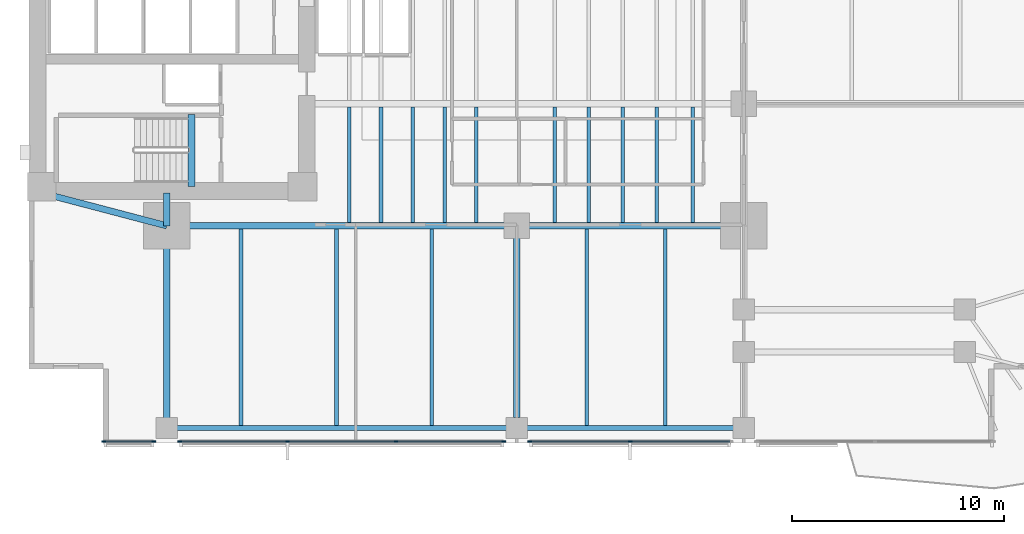
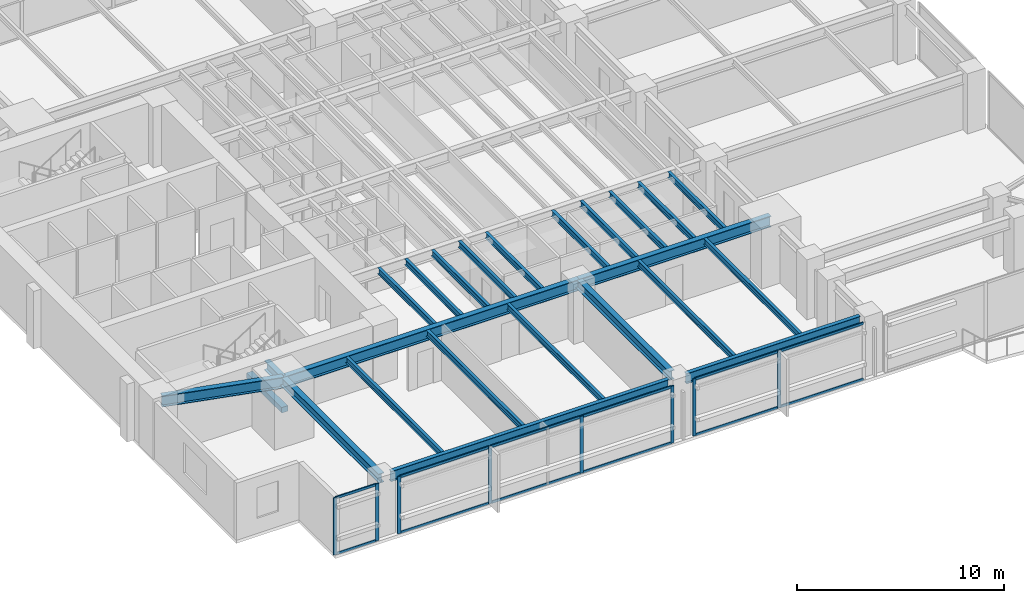
# One storey, part 2 of 15: 24 beams, 20 members, 3 elements without a shape of their own.
"""IFC4 building model written with IfcOpenShell, lengths in metres."""

from ifc_helpers import new_model, si_unit, direction, frame, origin, origin_2d, place, context, subcontext, project, spatial, rectangle, i_section, extrude, material, layer, layer_set, material_profile, profile_set, type_object, element, aggregate, save


model = new_model("IFC4")

# Units and contexts
model_context = context("Model", 3, precision=1e-05, world=origin(), true_north=direction((0.0, 1.0)))
body_context = subcontext(model_context, "Body", "Model", "MODEL_VIEW")
ifc_project = project(units=[si_unit("LENGTHUNIT", "METRE"), si_unit("AREAUNIT", "SQUARE_METRE"), si_unit("VOLUMEUNIT", "CUBIC_METRE"), si_unit("PLANEANGLEUNIT", "RADIAN"), si_unit("MASSUNIT", "GRAM", prefix="KILO")], contexts=[model_context])

# Site, building, storey
site_placement = place(None, origin())
site = spatial("IfcSite", under=ifc_project, at=site_placement, CompositionType="ELEMENT")
building_placement = place(site_placement, origin())
building = spatial("IfcBuilding", under=site, at=building_placement, Name="Kinhvarn Gate Tower", CompositionType="ELEMENT")
storey_placement = place(building_placement, frame((0.0, 0.0, 32.699951171875)))
storey = spatial("IfcBuildingStorey", under=building, at=storey_placement, Name="L07", CompositionType="ELEMENT", Elevation=32.699951171875)

# Beam
ifc_material_1 = material(Name="Concrete C50/60", Category="concrete")
ifc_material_profile_1 = material_profile(ifc_material_1, rectangle(XDim=0.340087890625, YDim=0.320068359375, at=origin_2d()), Name="RC 340x320")
ifc_profile_set_1 = profile_set([ifc_material_profile_1], Name="Concrete C50/60")
beam_type_1 = type_object("IfcBeamType", Name="BM-LND-500", PredefinedType="BEAM", material=ifc_profile_set_1)
beam_1_placement = place(storey_placement, frame((12.1650390625, 14.60009765625, -0.159912109375), z_axis=(0.0, 1.0, 0.0), x_axis=(-1.0, 0.0, 0.0)))
element("IfcBeam", 1, at=beam_1_placement, inside=storey, type_object=beam_type_1, Name="Stair ST1 Landing Nosing Beam (L07)", PredefinedType="BEAM", context=body_context, shape_type="SweptSolid", body=[
    extrude(rectangle(XDim=0.340087890625, YDim=0.320068359375, at=origin_2d()), origin(), (0.0, 0.0, 1.0), 3.39990234375),
])

# Curtain wall, members
ifc_material_2 = material(Name="Anodised aluminium AW-6063", Category="aluminium")
ifc_layer = layer(ifc_material_2, 0.179931640625)
ifc_layer_set = layer_set([ifc_layer], Name="Anodised aluminium AW-6063")
curtain_wall_type = type_object("IfcCurtainWallType", Name="CW-SYS-2", PredefinedType="NOTDEFINED", material=ifc_layer_set)
curtain_wall_1_placement = place(storey_placement, origin())
curtain_wall_1 = element("IfcCurtainWall", 2, at=curtain_wall_1_placement, inside=storey, type_object=curtain_wall_type, Name="Curtain Wall CW2 (L07)", PredefinedType="NOTDEFINED")
ifc_material_profile_2 = material_profile(ifc_material_2, rectangle(XDim=0.070068359375, YDim=0.179931640625, at=origin_2d()), Name="ALU 70x180")
ifc_profile_set_2 = profile_set([ifc_material_profile_2], Name="Anodised aluminium AW-6063")
member_type_1 = type_object("IfcMemberType", Name="CW-MUL-180", PredefinedType="MULLION", material=ifc_profile_set_2)
member_1_placement = place(storey_placement, frame((8.034912109375, 2.590087890625, 0.0), z_axis=(0.0, 0.0, 1.0), x_axis=(0.0, 1.0, 0.0)))
member_1 = element("IfcMember", 3, at=member_1_placement, type_object=member_type_1, Name="CW2 mullion 1", PredefinedType="MULLION", context=body_context, shape_type="SweptSolid", body=[
    extrude(rectangle(XDim=0.070068359375, YDim=0.179931640625, at=origin_2d()), origin(), (0.0, 0.0, 1.0), 3.3701171875),
])
member_2_placement = place(storey_placement, frame((10.385009765625, 2.590087890625, 0.0), z_axis=(0.0, 0.0, 1.0), x_axis=(0.0, 1.0, 0.0)))
member_2 = element("IfcMember", 4, at=member_2_placement, type_object=member_type_1, Name="CW2 mullion 2", PredefinedType="MULLION", context=body_context, shape_type="SweptSolid", body=[
    extrude(rectangle(XDim=0.070068359375, YDim=0.179931640625, at=origin_2d()), origin(), (0.0, 0.0, 1.0), 3.3701171875),
])

curtain_wall_2_placement = place(storey_placement, origin())
curtain_wall_2 = element("IfcCurtainWall", 5, at=curtain_wall_2_placement, inside=storey, type_object=curtain_wall_type, Name="Curtain Wall CW2 (L07)", PredefinedType="NOTDEFINED")
member_3_placement = place(storey_placement, frame((11.614990234375, 2.590087890625, 0.0), z_axis=(0.0, 0.0, 1.0), x_axis=(0.0, 1.0, 0.0)))
member_3 = element("IfcMember", 6, at=member_3_placement, type_object=member_type_1, Name="CW2 mullion 1", PredefinedType="MULLION", context=body_context, shape_type="SweptSolid", body=[
    extrude(rectangle(XDim=0.070068359375, YDim=0.179931640625, at=origin_2d()), origin(), (0.0, 0.0, 1.0), 3.3701171875),
])
member_4_placement = place(storey_placement, frame((16.693359375, 2.590087890625, 0.0), z_axis=(0.0, 0.0, 1.0), x_axis=(0.0, 1.0, 0.0)))
member_4 = element("IfcMember", 7, at=member_4_placement, type_object=member_type_1, Name="CW2 mullion 2", PredefinedType="MULLION", context=body_context, shape_type="SweptSolid", body=[
    extrude(rectangle(XDim=0.070068359375, YDim=0.179931640625, at=origin_2d()), origin(), (0.0, 0.0, 1.0), 3.3701171875),
])
member_5_placement = place(storey_placement, frame((21.806640625, 2.590087890625, 0.0), z_axis=(0.0, 0.0, 1.0), x_axis=(0.0, 1.0, 0.0)))
member_5 = element("IfcMember", 8, at=member_5_placement, type_object=member_type_1, Name="CW2 mullion 3", PredefinedType="MULLION", context=body_context, shape_type="SweptSolid", body=[
    extrude(rectangle(XDim=0.070068359375, YDim=0.179931640625, at=origin_2d()), origin(), (0.0, 0.0, 1.0), 3.3701171875),
])
member_6_placement = place(storey_placement, frame((26.885009765625, 2.590087890625, 0.0), z_axis=(0.0, 0.0, 1.0), x_axis=(0.0, 1.0, 0.0)))
member_6 = element("IfcMember", 9, at=member_6_placement, type_object=member_type_1, Name="CW2 mullion 4", PredefinedType="MULLION", context=body_context, shape_type="SweptSolid", body=[
    extrude(rectangle(XDim=0.070068359375, YDim=0.179931640625, at=origin_2d()), origin(), (0.0, 0.0, 1.0), 3.3701171875),
])

curtain_wall_3_placement = place(storey_placement, origin())
curtain_wall_3 = element("IfcCurtainWall", 10, at=curtain_wall_3_placement, inside=storey, type_object=curtain_wall_type, Name="Curtain Wall CW2 (L07)", PredefinedType="NOTDEFINED")
member_7_placement = place(storey_placement, frame((28.114990234375, 2.590087890625, 0.0), z_axis=(0.0, 0.0, 1.0), x_axis=(0.0, 1.0, 0.0)))
member_7 = element("IfcMember", 11, at=member_7_placement, type_object=member_type_1, Name="CW2 mullion 1", PredefinedType="MULLION", context=body_context, shape_type="SweptSolid", body=[
    extrude(rectangle(XDim=0.070068359375, YDim=0.179931640625, at=origin_2d()), origin(), (0.0, 0.0, 1.0), 3.3701171875),
])
member_8_placement = place(storey_placement, frame((32.85009765625, 2.590087890625, 0.0), z_axis=(0.0, 0.0, 1.0), x_axis=(0.0, 1.0, 0.0)))
member_8 = element("IfcMember", 12, at=member_8_placement, type_object=member_type_1, Name="CW2 mullion 2", PredefinedType="MULLION", context=body_context, shape_type="SweptSolid", body=[
    extrude(rectangle(XDim=0.070068359375, YDim=0.179931640625, at=origin_2d()), origin(), (0.0, 0.0, 1.0), 3.3701171875),
])

# Member
ifc_material_profile_3 = material_profile(ifc_material_2, rectangle(XDim=0.070068359375, YDim=0.139892578125, at=origin_2d()), Name="ALU 70x140")
ifc_profile_set_3 = profile_set([ifc_material_profile_3], Name="Anodised aluminium AW-6063")
member_type_2 = type_object("IfcMemberType", Name="CW-TRN-140", PredefinedType="USERDEFINED", material=ifc_profile_set_3)
member_9_placement = place(storey_placement, frame((8.070068359375, 2.590087890625, 0.03515625), z_axis=(1.0, 0.0, 0.0), x_axis=(0.0, 1.0, 0.0)))
member_9 = element("IfcMember", 13, at=member_9_placement, type_object=member_type_2, Name="CW2 transom 1.1", ObjectType="TRANSOM", PredefinedType="USERDEFINED", context=body_context, shape_type="SweptSolid", body=[
    extrude(rectangle(XDim=0.070068359375, YDim=0.139892578125, at=origin_2d()), origin(), (0.0, 0.0, 1.0), 2.280029296875),
])

member_10_placement = place(storey_placement, frame((8.070068359375, 2.590087890625, 3.3349609375), z_axis=(1.0, 0.0, 0.0), x_axis=(0.0, 1.0, 0.0)))
member_10 = element("IfcMember", 14, at=member_10_placement, type_object=member_type_2, Name="CW2 transom 1.2", ObjectType="TRANSOM", PredefinedType="USERDEFINED", context=body_context, shape_type="SweptSolid", body=[
    extrude(rectangle(XDim=0.070068359375, YDim=0.139892578125, at=origin_2d()), origin(), (0.0, 0.0, 1.0), 2.280029296875),
])

aggregate(curtain_wall_1, [member_1, member_2, member_9, member_10])

member_11_placement = place(storey_placement, frame((11.64990234375, 2.590087890625, 0.03515625), z_axis=(1.0, 0.0, 0.0), x_axis=(0.0, 1.0, 0.0)))
member_11 = element("IfcMember", 15, at=member_11_placement, type_object=member_type_2, Name="CW2 transom 1.1", ObjectType="TRANSOM", PredefinedType="USERDEFINED", context=body_context, shape_type="SweptSolid", body=[
    extrude(rectangle(XDim=0.070068359375, YDim=0.139892578125, at=origin_2d()), origin(), (0.0, 0.0, 1.0), 5.008544921875),
])

member_12_placement = place(storey_placement, frame((11.64990234375, 2.590087890625, 3.3349609375), z_axis=(1.0, 0.0, 0.0), x_axis=(0.0, 1.0, 0.0)))
member_12 = element("IfcMember", 16, at=member_12_placement, type_object=member_type_2, Name="CW2 transom 1.2", ObjectType="TRANSOM", PredefinedType="USERDEFINED", context=body_context, shape_type="SweptSolid", body=[
    extrude(rectangle(XDim=0.070068359375, YDim=0.139892578125, at=origin_2d()), origin(), (0.0, 0.0, 1.0), 5.008544921875),
])

member_13_placement = place(storey_placement, frame((16.728271484375, 2.590087890625, 0.03515625), z_axis=(1.0, 0.0, 0.0), x_axis=(0.0, 1.0, 0.0)))
member_13 = element("IfcMember", 17, at=member_13_placement, type_object=member_type_2, Name="CW2 transom 2.1", ObjectType="TRANSOM", PredefinedType="USERDEFINED", context=body_context, shape_type="SweptSolid", body=[
    extrude(rectangle(XDim=0.070068359375, YDim=0.139892578125, at=origin_2d()), origin(), (0.0, 0.0, 1.0), 5.04345703125),
])

member_14_placement = place(storey_placement, frame((16.728271484375, 2.590087890625, 3.3349609375), z_axis=(1.0, 0.0, 0.0), x_axis=(0.0, 1.0, 0.0)))
member_14 = element("IfcMember", 18, at=member_14_placement, type_object=member_type_2, Name="CW2 transom 2.2", ObjectType="TRANSOM", PredefinedType="USERDEFINED", context=body_context, shape_type="SweptSolid", body=[
    extrude(rectangle(XDim=0.070068359375, YDim=0.139892578125, at=origin_2d()), origin(), (0.0, 0.0, 1.0), 5.04345703125),
])

member_15_placement = place(storey_placement, frame((21.841552734375, 2.590087890625, 0.03515625), z_axis=(1.0, 0.0, 0.0), x_axis=(0.0, 1.0, 0.0)))
member_15 = element("IfcMember", 19, at=member_15_placement, type_object=member_type_2, Name="CW2 transom 3.1", ObjectType="TRANSOM", PredefinedType="USERDEFINED", context=body_context, shape_type="SweptSolid", body=[
    extrude(rectangle(XDim=0.070068359375, YDim=0.139892578125, at=origin_2d()), origin(), (0.0, 0.0, 1.0), 5.008544921875),
])

member_16_placement = place(storey_placement, frame((21.841552734375, 2.590087890625, 3.3349609375), z_axis=(1.0, 0.0, 0.0), x_axis=(0.0, 1.0, 0.0)))
member_16 = element("IfcMember", 20, at=member_16_placement, type_object=member_type_2, Name="CW2 transom 3.2", ObjectType="TRANSOM", PredefinedType="USERDEFINED", context=body_context, shape_type="SweptSolid", body=[
    extrude(rectangle(XDim=0.070068359375, YDim=0.139892578125, at=origin_2d()), origin(), (0.0, 0.0, 1.0), 5.008544921875),
])

aggregate(curtain_wall_2, [member_3, member_4, member_5, member_6, member_11, member_12, member_13, member_14, member_15, member_16])

member_17_placement = place(storey_placement, frame((28.14990234375, 2.590087890625, 0.03515625), z_axis=(1.0, 0.0, 0.0), x_axis=(0.0, 1.0, 0.0)))
member_17 = element("IfcMember", 21, at=member_17_placement, type_object=member_type_2, Name="CW2 transom 1.1", ObjectType="TRANSOM", PredefinedType="USERDEFINED", context=body_context, shape_type="SweptSolid", body=[
    extrude(rectangle(XDim=0.070068359375, YDim=0.139892578125, at=origin_2d()), origin(), (0.0, 0.0, 1.0), 4.6650390625),
])

member_18_placement = place(storey_placement, frame((28.14990234375, 2.590087890625, 3.3349609375), z_axis=(1.0, 0.0, 0.0), x_axis=(0.0, 1.0, 0.0)))
member_18 = element("IfcMember", 22, at=member_18_placement, type_object=member_type_2, Name="CW2 transom 1.2", ObjectType="TRANSOM", PredefinedType="USERDEFINED", context=body_context, shape_type="SweptSolid", body=[
    extrude(rectangle(XDim=0.070068359375, YDim=0.139892578125, at=origin_2d()), origin(), (0.0, 0.0, 1.0), 4.6650390625),
])

member_19_placement = place(storey_placement, frame((32.885009765625, 2.590087890625, 0.03515625), z_axis=(1.0, 0.0, 0.0), x_axis=(0.0, 1.0, 0.0)))
member_19 = element("IfcMember", 23, at=member_19_placement, type_object=member_type_2, Name="CW2 transom 2.1", ObjectType="TRANSOM", PredefinedType="USERDEFINED", context=body_context, shape_type="SweptSolid", body=[
    extrude(rectangle(XDim=0.070068359375, YDim=0.139892578125, at=origin_2d()), origin(), (0.0, 0.0, 1.0), 4.6650390625),
])

member_20_placement = place(storey_placement, frame((32.885009765625, 2.590087890625, 3.3349609375), z_axis=(1.0, 0.0, 0.0), x_axis=(0.0, 1.0, 0.0)))
member_20 = element("IfcMember", 24, at=member_20_placement, type_object=member_type_2, Name="CW2 transom 2.2", ObjectType="TRANSOM", PredefinedType="USERDEFINED", context=body_context, shape_type="SweptSolid", body=[
    extrude(rectangle(XDim=0.070068359375, YDim=0.139892578125, at=origin_2d()), origin(), (0.0, 0.0, 1.0), 4.6650390625),
])

aggregate(curtain_wall_3, [member_7, member_8, member_17, member_18, member_19, member_20])

# Beams
ifc_material_3 = material(Name="Steel S355", Category="steel")
ifc_material_profile_4 = material_profile(ifc_material_3, i_section(OverallWidth=0.300048828125, OverallDepth=0.550048828125, WebThickness=0.014892578125, FlangeThickness=0.029052734375, at=origin_2d()), Name="HEB 550")
ifc_profile_set_4 = profile_set([ifc_material_profile_4], Name="Steel S355")
beam_type_2 = type_object("IfcBeamType", Name="STL-HEB550", PredefinedType="BEAM", material=ifc_profile_set_4)
beam_2_placement = place(storey_placement, frame((11.0, 3.219970703125, 3.094970703125), z_axis=(0.0, 1.0, 0.0), x_axis=(-1.0, 0.0, 0.0)))
element("IfcBeam", 25, at=beam_2_placement, inside=storey, type_object=beam_type_2, Name="Floor Beam PG-15 (L07 MCW-S)", PredefinedType="BEAM", context=body_context, shape_type="SweptSolid", body=[
    extrude(i_section(OverallWidth=0.300048828125, OverallDepth=0.550048828125, WebThickness=0.014892578125, FlangeThickness=0.029052734375, at=origin_2d()), origin(), (0.0, 0.0, 1.0), 9.530029296875),
])
beam_3_placement = place(storey_placement, frame((11.0, 12.75, 3.094970703125), z_axis=(0.0, 1.0, 0.0), x_axis=(-1.0, 0.0, 0.0)))
element("IfcBeam", 26, at=beam_3_placement, inside=storey, type_object=beam_type_2, Name="Floor Beam PG-15 (L07 MCW-CS)", PredefinedType="BEAM", context=body_context, shape_type="SweptSolid", body=[
    extrude(i_section(OverallWidth=0.300048828125, OverallDepth=0.550048828125, WebThickness=0.014892578125, FlangeThickness=0.029052734375, at=origin_2d()), origin(), (0.0, 0.0, 1.0), 1.550048828125),
])
beam_4_placement = place(storey_placement, frame((27.5, 3.705078125, 3.094970703125), z_axis=(0.0, 1.0, 0.0), x_axis=(-1.0, 0.0, 0.0)))
element("IfcBeam", 27, at=beam_4_placement, inside=storey, type_object=beam_type_2, Name="Floor Beam PG-15 (L07 SP27-S-TIE)", PredefinedType="BEAM", context=body_context, shape_type="SweptSolid", body=[
    extrude(i_section(OverallWidth=0.300048828125, OverallDepth=0.550048828125, WebThickness=0.014892578125, FlangeThickness=0.029052734375, at=origin_2d()), origin(), (0.0, 0.0, 1.0), 9.044921875),
])
ifc_material_profile_5 = material_profile(ifc_material_3, i_section(OverallWidth=0.300048828125, OverallDepth=0.64990234375, WebThickness=0.01611328125, FlangeThickness=0.031005859375, at=origin_2d()), Name="HEB 650")
ifc_profile_set_5 = profile_set([ifc_material_profile_5], Name="Steel S355")
beam_type_3 = type_object("IfcBeamType", Name="STL-HEB650", PredefinedType="BEAM", material=ifc_profile_set_5)
beam_5_placement = place(storey_placement, frame((11.0, 12.75, 3.045166015625), z_axis=(1.0, 0.0, 0.0), x_axis=(0.0, 1.0, 0.0)))
element("IfcBeam", 28, at=beam_5_placement, inside=storey, type_object=beam_type_3, Name="Floor Beam PG-17 (L07 MG-S1)", PredefinedType="BEAM", context=body_context, shape_type="SweptSolid", body=[
    extrude(i_section(OverallWidth=0.300048828125, OverallDepth=0.64990234375, WebThickness=0.01611328125, FlangeThickness=0.031005859375, at=origin_2d()), origin(), (0.0, 0.0, 1.0), 16.5),
])
beam_6_placement = place(storey_placement, frame((27.5, 12.75, 3.045166015625), z_axis=(1.0, 0.0, 0.0), x_axis=(0.0, 1.0, 0.0)))
element("IfcBeam", 29, at=beam_6_placement, inside=storey, type_object=beam_type_3, Name="Floor Beam PG-17 (L07 MG-S2)", PredefinedType="BEAM", context=body_context, shape_type="SweptSolid", body=[
    extrude(i_section(OverallWidth=0.300048828125, OverallDepth=0.64990234375, WebThickness=0.01611328125, FlangeThickness=0.031005859375, at=origin_2d()), origin(), (0.0, 0.0, 1.0), 10.699951171875),
])
beam_7_placement = place(storey_placement, frame((5.10009765625, 14.300048828125, 3.045166015625), z_axis=(0.967177623957, -0.254101246979, 0.0), x_axis=(0.254101246979, 0.967177623957, 0.0)))
element("IfcBeam", 30, at=beam_7_placement, inside=storey, type_object=beam_type_3, Name="Floor Beam PG-17 (L07 MG-SW-DIAG)", PredefinedType="BEAM", context=body_context, shape_type="SweptSolid", body=[
    extrude(i_section(OverallWidth=0.300048828125, OverallDepth=0.64990234375, WebThickness=0.01611328125, FlangeThickness=0.031005859375, at=origin_2d()), origin(), (0.0, 0.0, 1.0), 6.10009765625),
])
ifc_material_profile_6 = material_profile(ifc_material_3, i_section(OverallWidth=0.169921875, OverallDepth=0.360107421875, WebThickness=0.008056640625, FlangeThickness=0.0126953125, at=origin_2d()), Name="IPE 360")
ifc_profile_set_6 = profile_set([ifc_material_profile_6], Name="Steel S355")
beam_type_4 = type_object("IfcBeamType", Name="STL-IPE360", PredefinedType="JOIST", material=ifc_profile_set_6)
for number, where, z_axis, x_axis, name in (
    (31, (19.60009765625, 12.89990234375, 3.18994140625), (0.0, 1.0, 0.0), (-1.0, 0.0, 0.0), "Floor Joist SB-04 (L07 JC-X196-0)"),
    (32, (21.10009765625, 12.89990234375, 3.18994140625), (0.0, 1.0, 0.0), (-1.0, 0.0, 0.0), "Floor Joist SB-04 (L07 JC-X211-0)"),
    (33, (22.60009765625, 12.89990234375, 3.18994140625), (0.0, 1.0, 0.0), (-1.0, 0.0, 0.0), "Floor Joist SB-04 (L07 JC-X226-0)"),
    (34, (24.10009765625, 12.89990234375, 3.18994140625), (0.0, 1.0, 0.0), (-1.0, 0.0, 0.0), "Floor Joist SB-04 (L07 JC-X241-0)"),
    (35, (25.60009765625, 12.89990234375, 3.18994140625), (0.0, 1.0, 0.0), (-1.0, 0.0, 0.0), "Floor Joist SB-04 (L07 JC-X256-0)"),
    (36, (29.300048828125, 12.89990234375, 3.18994140625), (0.0, 1.0, 0.0), (-1.0, 0.0, 0.0), "Floor Joist SB-04 (L07 JC-X293-0)"),
    (37, (30.89990234375, 12.89990234375, 3.18994140625), (0.0, 1.0, 0.0), (-1.0, 0.0, 0.0), "Floor Joist SB-04 (L07 JC-X309-0)"),
    (38, (32.5, 12.89990234375, 3.18994140625), (0.0, 1.0, 0.0), (-1.0, 0.0, 0.0), "Floor Joist SB-04 (L07 JC-X325-0)"),
    (39, (34.10009765625, 12.89990234375, 3.18994140625), (0.0, 1.0, 0.0), (-1.0, 0.0, 0.0), "Floor Joist SB-04 (L07 JC-X341-0)"),
    (40, (35.800048828125, 12.89990234375, 3.18994140625), (0.0, 1.0, 0.0), (-1.0, 0.0, 0.0), "Floor Joist SB-04 (L07 JC-X358-0)"),
):
    element("IfcBeam", number, at=place(storey_placement, frame(where, z_axis=z_axis, x_axis=x_axis)), inside=storey, type_object=beam_type_4, Name=name, PredefinedType="JOIST", context=body_context, shape_type="SweptSolid", body=[
        extrude(i_section(OverallWidth=0.169921875, OverallDepth=0.360107421875, WebThickness=0.008056640625, FlangeThickness=0.0126953125, at=origin_2d()), origin(), (0.0, 0.0, 1.0), 5.4501953125),
    ])
for number, where, z_axis, x_axis, name in (
    (41, (14.5, 3.330078125, 3.18994140625), (0.0, 1.0, 0.0), (-1.0, 0.0, 0.0), "Floor Joist SB-04 (L07 JS-X145)"),
    (42, (19.0, 3.330078125, 3.18994140625), (0.0, 1.0, 0.0), (-1.0, 0.0, 0.0), "Floor Joist SB-04 (L07 JS-X190)"),
    (43, (23.5, 3.330078125, 3.18994140625), (0.0, 1.0, 0.0), (-1.0, 0.0, 0.0), "Floor Joist SB-04 (L07 JS-X235)"),
    (44, (30.800048828125, 3.330078125, 3.18994140625), (0.0, 1.0, 0.0), (-1.0, 0.0, 0.0), "Floor Joist SB-04 (L07 JS-X308)"),
    (45, (34.5, 3.330078125, 3.18994140625), (0.0, 1.0, 0.0), (-1.0, 0.0, 0.0), "Floor Joist SB-04 (L07 JS-X345)"),
):
    element("IfcBeam", number, at=place(storey_placement, frame(where, z_axis=z_axis, x_axis=x_axis)), inside=storey, type_object=beam_type_4, Name=name, PredefinedType="JOIST", context=body_context, shape_type="SweptSolid", body=[
        extrude(i_section(OverallWidth=0.169921875, OverallDepth=0.360107421875, WebThickness=0.008056640625, FlangeThickness=0.0126953125, at=origin_2d()), origin(), (0.0, 0.0, 1.0), 9.27001953125),
    ])
ifc_material_profile_7 = material_profile(ifc_material_3, i_section(OverallWidth=0.219970703125, OverallDepth=0.60009765625, WebThickness=0.011962890625, FlangeThickness=0.01904296875, at=origin_2d()), Name="IPE 600")
ifc_profile_set_7 = profile_set([ifc_material_profile_7], Name="Steel S355")
beam_type_5 = type_object("IfcBeamType", Name="STL-IPE600", PredefinedType="SPANDREL", material=ifc_profile_set_7)
beam_8_placement = place(storey_placement, frame((11.485107421875, 3.219970703125, 3.070068359375), z_axis=(1.0, 0.0, 0.0), x_axis=(0.0, 1.0, 0.0)))
element("IfcBeam", 46, at=beam_8_placement, inside=storey, type_object=beam_type_5, Name="Floor Spandrel SB-09 (L07 SP-S1)", PredefinedType="SPANDREL", context=body_context, shape_type="SweptSolid", body=[
    extrude(i_section(OverallWidth=0.219970703125, OverallDepth=0.60009765625, WebThickness=0.011962890625, FlangeThickness=0.01904296875, at=origin_2d()), origin(), (0.0, 0.0, 1.0), 15.52978515625),
])
beam_9_placement = place(storey_placement, frame((27.985107421875, 3.219970703125, 3.070068359375), z_axis=(1.0, 0.0, 0.0), x_axis=(0.0, 1.0, 0.0)))
element("IfcBeam", 47, at=beam_9_placement, inside=storey, type_object=beam_type_5, Name="Floor Spandrel SB-09 (L07 SP-S2)", PredefinedType="SPANDREL", context=body_context, shape_type="SweptSolid", body=[
    extrude(i_section(OverallWidth=0.219970703125, OverallDepth=0.60009765625, WebThickness=0.011962890625, FlangeThickness=0.01904296875, at=origin_2d()), origin(), (0.0, 0.0, 1.0), 9.72998046875),
])

save(model, "model.ifc")
